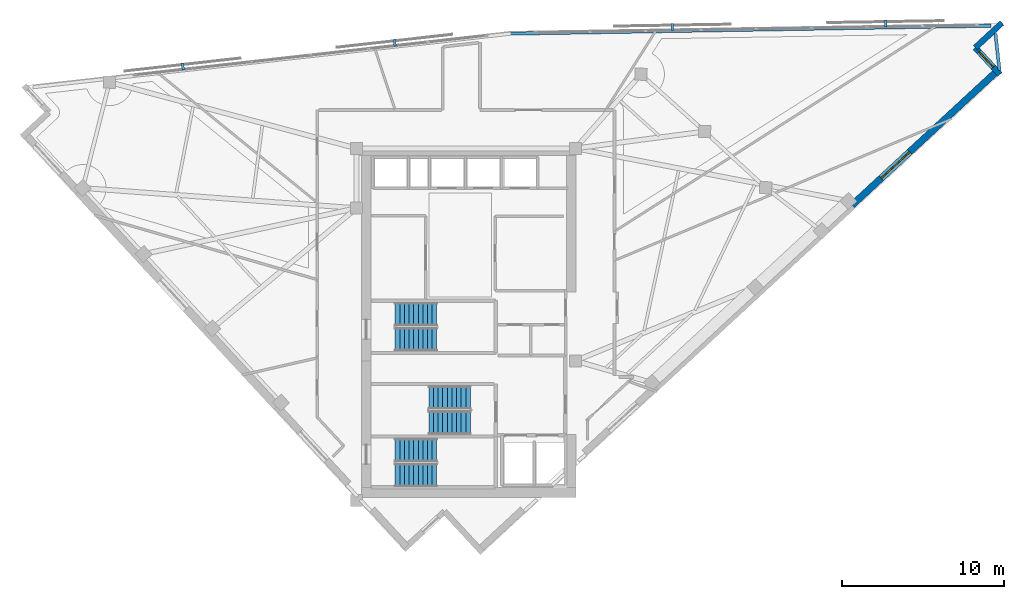
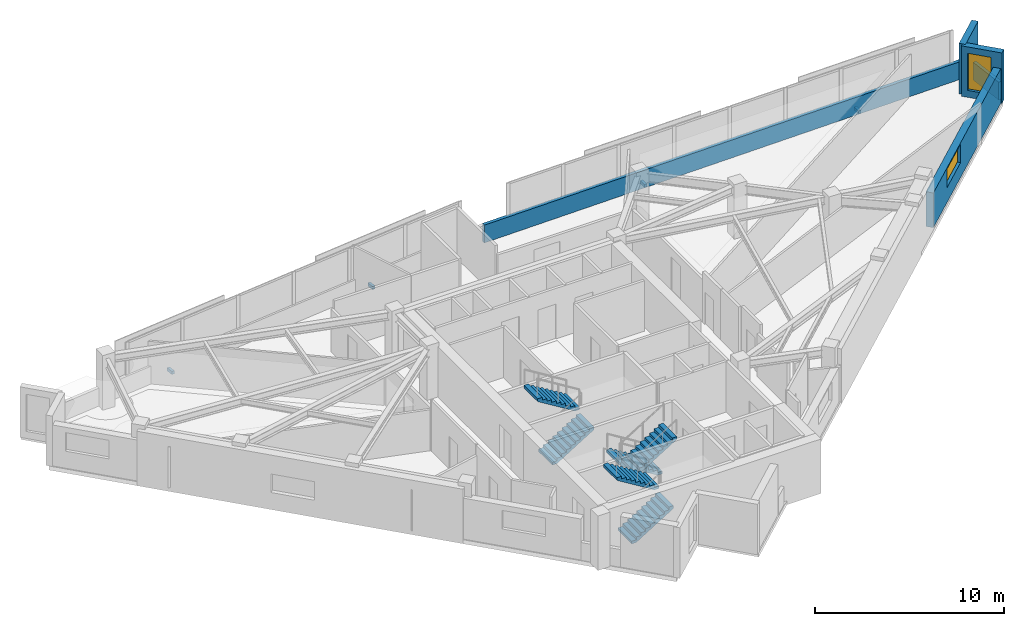
# One storey, part 11 of 13: 6 stair flights, 5 walls, 4 discrete accessories, 2 windows, 2 openings, 3 elements without a shape of their own.
"""IFC4 building model written with IfcOpenShell, lengths in metres."""

from ifc_helpers import new_model, si_unit, direction, frame, frame_2d, origin, origin_2d, place, context, subcontext, project, spatial, polyline, rectangle, outline, extrude, material, layer, layer_set, type_object, element, fill, aggregate, save


model = new_model("IFC4")

# Units and contexts
model_context = context("Model", 3, precision=1e-05, world=origin(), true_north=direction((0.0, 1.0)))
body_context = subcontext(model_context, "Body", "Model", "MODEL_VIEW")
ifc_project = project(units=[si_unit("LENGTHUNIT", "METRE"), si_unit("AREAUNIT", "SQUARE_METRE"), si_unit("VOLUMEUNIT", "CUBIC_METRE"), si_unit("PLANEANGLEUNIT", "RADIAN"), si_unit("MASSUNIT", "GRAM", prefix="KILO")], contexts=[model_context])

# Site, building, storey
site_placement = place(None, origin())
site = spatial("IfcSite", under=ifc_project, at=site_placement, CompositionType="ELEMENT")
building_placement = place(site_placement, origin())
building = spatial("IfcBuilding", under=site, at=building_placement, Name="Narakoshi Arena Tower", CompositionType="ELEMENT")
storey_placement = place(building_placement, frame((0.0, 0.0, 281.860107421875)))
storey = spatial("IfcBuildingStorey", under=building, at=storey_placement, Name="L77", CompositionType="ELEMENT", Elevation=281.860107421875)

# Walls
ifc_material_1 = material(Name="Precast concrete C45/55", Category="concrete")
ifc_layer_1 = layer(ifc_material_1, 0.25)
ifc_layer_set_1 = layer_set([ifc_layer_1], Name="Precast concrete C45/55")
wall_type_1 = type_object("IfcWallType", Name="WL-PARA-250", PredefinedType="PARAPET", material=ifc_layer_set_1)
wall_1_placement = place(storey_placement, frame((111.80419921875, 61.324951171875, 0.0), z_axis=(0.0, 0.0, 1.0), x_axis=(-0.10875765817, 0.994068293323, 0.0)))
element("IfcWall", 1, at=wall_1_placement, inside=storey, type_object=wall_type_1, Name="L77 Architectural Setback Ledge Parapet", PredefinedType="PARAPET", context=body_context, shape_type="SweptSolid", body=[
    extrude(rectangle(XDim=2.305419921875, YDim=0.199951171875, at=frame_2d((1.15283203125, 0.0))), origin(), (0.0, 0.0, 1.0), 1.14990234375),
])
wall_2_placement = place(storey_placement, frame((111.2705078125, 64.091796875, 0.0), z_axis=(0.0, 0.0, 1.0), x_axis=(-0.999864741935, -0.016446818413, 0.0)))
element("IfcWall", 2, at=wall_2_placement, inside=storey, type_object=wall_type_1, Name="L77 Hypotenuse Sill Upstand Parapet 1-01", PredefinedType="PARAPET", context=body_context, shape_type="SweptSolid", body=[
    extrude(rectangle(XDim=29.73291015625, YDim=0.199951171875, at=frame_2d((14.866455078125, 0.0))), origin(), (0.0, 0.0, 1.0), 1.14990234375),
])

# Wall, opening, window
ifc_layer_2 = layer(ifc_material_1, 0.419921875)
ifc_layer_set_2 = layer_set([ifc_layer_2], Name="Precast concrete C45/55")
wall_type_2 = type_object("IfcWallType", Name="WL-POD-420", PredefinedType="SOLIDWALL", material=ifc_layer_set_2)
wall_3_placement = place(storey_placement, frame((102.677490234375, 52.9892578125, 0.0), z_axis=(0.0, 0.0, 1.0), x_axis=(0.734331107219, 0.678791444386, 0.0)))
wall_3 = element("IfcWall", 3, at=wall_3_placement, inside=storey, type_object=wall_type_2, Name="L77 Architectural Concrete Facade Wall LEGA-4", PredefinedType="SOLIDWALL", context=body_context, shape_type="SweptSolid", body=[
    extrude(rectangle(XDim=12.21142578125, YDim=0.419921875, at=frame_2d((6.105712890625, 0.0))), origin(), (0.0, 0.0, 1.0), 2.244873046875),
])
opening_1_placement = place(wall_3_placement, frame((2.453857421875, 0.0, 0.965087890625)))
opening_1 = element("IfcOpeningElement", 4, at=opening_1_placement, cuts=wall_3, Name="Opening WN-04", PredefinedType="OPENING", context=body_context, shape_type="SweptSolid", body=[
    extrude(rectangle(XDim=2.39990234375, YDim=1.199951171875, at=frame_2d((1.199951171875, 0.60009765625))), frame((0.0, 0.219970703125, 0.0), z_axis=(0.0, -1.0, 0.0), x_axis=(1.0, 0.0, 0.0)), (0.0, 0.0, 1.0), 0.43994140625),
])
ifc_material_2 = material(Name="Bronze-tinted low-E laminated glass", Category="glass")
window_type_1 = type_object("IfcWindowType", Name="WIN-SLT-24x12", PartitioningType="SINGLE_PANEL", PredefinedType="WINDOW", material=ifc_material_2)
window_1_placement = place(opening_1_placement, origin())
window_1 = element("IfcWindow", 5, at=window_1_placement, inside=storey, type_object=window_type_1, Name="L77 LEGA4 Horizontal Slot Window 1", OverallHeight=1.199951171875, OverallWidth=2.39990234375, PartitioningType="SINGLE_PANEL", PredefinedType="WINDOW", context=body_context, shape_type="SweptSolid", body=[
    extrude(rectangle(XDim=2.39990234375, YDim=1.199951171875, at=frame_2d((1.199951171875, 0.60009765625))), frame((0.0, 0.030029296875, 0.0), z_axis=(0.0, -1.0, 0.0), x_axis=(1.0, 0.0, 0.0)), (0.0, 0.0, 1.0), 0.06005859375),
])
fill(opening_1, window_1)

wall_4_placement = place(storey_placement, frame((111.83154296875, 61.076416015625, 0.0), z_axis=(0.0, 0.0, 1.0), x_axis=(-0.678792531533, 0.734330102294, 0.0)))
wall_4 = element("IfcWall", 6, at=wall_4_placement, inside=storey, type_object=wall_type_2, Name="L77 Re-Entrant Corner Notch Wall NTE-1", PredefinedType="SOLIDWALL", context=body_context, shape_type="SweptSolid", body=[
    extrude(rectangle(XDim=2.255126953125, YDim=0.360107421875, at=frame_2d((1.12744140625, 0.0))), origin(), (0.0, 0.0, 1.0), 3.260009765625),
])
opening_2_placement = place(wall_4_placement, frame((0.614990234375, 0.0, 0.449951171875)))
opening_2 = element("IfcOpeningElement", 7, at=opening_2_placement, cuts=wall_4, Name="Opening WN-06", PredefinedType="OPENING", context=body_context, shape_type="SweptSolid", body=[
    extrude(rectangle(XDim=1.300048828125, YDim=2.39990234375, at=frame_2d((0.64990234375, 1.199951171875))), frame((0.0, 0.18994140625, 0.0), z_axis=(0.0, -1.0, 0.0), x_axis=(1.0, 0.0, 0.0)), (0.0, 0.0, 1.0), 0.380126953125),
])
window_type_2 = type_object("IfcWindowType", Name="WIN-NTC-16x24", PartitioningType="SINGLE_PANEL", PredefinedType="WINDOW", material=ifc_material_2)
window_2_placement = place(opening_2_placement, origin())
window_2 = element("IfcWindow", 8, at=window_2_placement, inside=storey, type_object=window_type_2, Name="L77 Corner Notch Window NTE", OverallHeight=2.39990234375, OverallWidth=1.300048828125, PartitioningType="SINGLE_PANEL", PredefinedType="WINDOW", context=body_context, shape_type="SweptSolid", body=[
    extrude(rectangle(XDim=1.300048828125, YDim=2.39990234375, at=frame_2d((0.64990234375, 1.199951171875))), frame((0.0, 0.030029296875, 0.0), z_axis=(0.0, -1.0, 0.0), x_axis=(1.0, 0.0, 0.0)), (0.0, 0.0, 1.0), 0.06005859375),
])
fill(opening_2, window_2)

# Wall
wall_5_placement = place(storey_placement, frame((110.30078125, 62.732421875, 0.0), z_axis=(0.0, 0.0, 1.0), x_axis=(0.734330102294, 0.678792531533, 0.0)))
element("IfcWall", 9, at=wall_5_placement, inside=storey, type_object=wall_type_2, Name="L77 Re-Entrant Corner Notch Wall NTE-2", PredefinedType="SOLIDWALL", context=body_context, shape_type="SweptSolid", body=[
    extrude(rectangle(XDim=2.255126953125, YDim=0.360107421875, at=frame_2d((1.12744140625, 0.0))), origin(), (0.0, 0.0, 1.0), 3.260009765625),
])

# Stair, stair flights
ifc_material_3 = material(Name="Concrete C45/55", Category="concrete")
stair_type = type_object("IfcStairType", Name="STR-CORE-352", PredefinedType="TWO_STRAIGHT_RUN_STAIR", material=ifc_material_3)
stair_1_placement = place(storey_placement, origin())
stair_1 = element("IfcStair", 10, at=stair_1_placement, inside=storey, type_object=stair_type, Name="L77 Core Escape Stair ST1", PredefinedType="TWO_STRAIGHT_RUN_STAIR")
stair_flight_type = type_object("IfcStairFlightType", Name="FLT-145-160", PredefinedType="STRAIGHT", material=ifc_material_1)
stair_flight_1_placement = place(storey_placement, frame((74.39990234375, 36.27490234375, 0.0), z_axis=(0.0, 0.0, 1.0), x_axis=(1.0, 0.0, 0.0)))
stair_flight_1 = element("IfcStairFlight", 11, at=stair_flight_1_placement, type_object=stair_flight_type, Name="ST1 flight 1", NumberOfRisers=10, NumberOfTreads=9, PredefinedType="STRAIGHT", RiserHeight=0.176, TreadLength=0.285, context=body_context, shape_type="SweptSolid", body=[
    extrude(outline(polyline([(0.0, 0.0), (0.0, 0.176025390625), (0.284912109375, 0.176025390625), (0.284912109375, 0.35205078125), (0.570068359375, 0.35205078125), (0.570068359375, 0.528076171875), (0.85498046875, 0.528076171875), (0.85498046875, 0.7041015625), (1.139892578125, 0.7041015625), (1.139892578125, 0.8798828125), (1.425048828125, 0.8798828125), (1.425048828125, 1.055908203125), (1.7099609375, 1.055908203125), (1.7099609375, 1.23193359375), (1.9951171875, 1.23193359375), (1.9951171875, 1.407958984375), (2.280029296875, 1.407958984375), (2.280029296875, 1.583984375), (2.56494140625, 1.583984375), (2.56494140625, 1.760009765625), (2.56494140625, 1.40771484375), (0.285400390625, 0.0), (0.0, 0.0)])), frame((0.0, 0.72509765625, 0.0), z_axis=(0.0, -1.0, 0.0), x_axis=(1.0, 0.0, 0.0)), (0.0, 0.0, 1.0), 1.449951171875),
])
stair_flight_2_placement = place(storey_placement, frame((76.965087890625, 37.824951171875, 1.760009765625), z_axis=(0.0, 0.0, 1.0), x_axis=(-1.0, 0.0, 0.0)))
stair_flight_2 = element("IfcStairFlight", 12, at=stair_flight_2_placement, type_object=stair_flight_type, Name="ST1 flight 2", NumberOfRisers=10, NumberOfTreads=9, PredefinedType="STRAIGHT", RiserHeight=0.176, TreadLength=0.285, context=body_context, shape_type="SweptSolid", body=[
    extrude(outline(polyline([(0.0, 0.0), (0.0, 0.176025390625), (0.284912109375, 0.176025390625), (0.284912109375, 0.35205078125), (0.570068359375, 0.35205078125), (0.570068359375, 0.528076171875), (0.85498046875, 0.528076171875), (0.85498046875, 0.7041015625), (1.139892578125, 0.7041015625), (1.139892578125, 0.8798828125), (1.425048828125, 0.8798828125), (1.425048828125, 1.055908203125), (1.7099609375, 1.055908203125), (1.7099609375, 1.23193359375), (1.9951171875, 1.23193359375), (1.9951171875, 1.407958984375), (2.280029296875, 1.407958984375), (2.280029296875, 1.583984375), (2.56494140625, 1.583984375), (2.56494140625, 1.760009765625), (2.56494140625, 1.40771484375), (0.285400390625, 0.0), (0.0, 0.0)])), frame((0.0, 0.72509765625, 0.0), z_axis=(0.0, -1.0, 0.0), x_axis=(1.0, 0.0, 0.0)), (0.0, 0.0, 1.0), 1.449951171875),
])
aggregate(stair_1, [stair_flight_1, stair_flight_2])

stair_2_placement = place(storey_placement, origin())
stair_2 = element("IfcStair", 13, at=stair_2_placement, inside=storey, type_object=stair_type, Name="L77 Core Escape Stair ST2", PredefinedType="TWO_STRAIGHT_RUN_STAIR")
stair_flight_3_placement = place(storey_placement, frame((79.050048828125, 41.074951171875, 0.0), z_axis=(0.0, 0.0, 1.0), x_axis=(-1.0, 0.0, 0.0)))
stair_flight_3 = element("IfcStairFlight", 14, at=stair_flight_3_placement, type_object=stair_flight_type, Name="ST2 flight 1", NumberOfRisers=10, NumberOfTreads=9, PredefinedType="STRAIGHT", RiserHeight=0.176, TreadLength=0.285, context=body_context, shape_type="SweptSolid", body=[
    extrude(outline(polyline([(0.0, 0.0), (0.0, 0.176025390625), (0.284912109375, 0.176025390625), (0.284912109375, 0.35205078125), (0.570068359375, 0.35205078125), (0.570068359375, 0.528076171875), (0.85498046875, 0.528076171875), (0.85498046875, 0.7041015625), (1.139892578125, 0.7041015625), (1.139892578125, 0.8798828125), (1.425048828125, 0.8798828125), (1.425048828125, 1.055908203125), (1.7099609375, 1.055908203125), (1.7099609375, 1.23193359375), (1.9951171875, 1.23193359375), (1.9951171875, 1.407958984375), (2.280029296875, 1.407958984375), (2.280029296875, 1.583984375), (2.56494140625, 1.583984375), (2.56494140625, 1.760009765625), (2.56494140625, 1.40771484375), (0.285400390625, 0.0), (0.0, 0.0)])), frame((0.0, 0.72509765625, 0.0), z_axis=(0.0, -1.0, 0.0), x_axis=(1.0, 0.0, 0.0)), (0.0, 0.0, 1.0), 1.449951171875),
])
stair_flight_4_placement = place(storey_placement, frame((76.485107421875, 39.52490234375, 1.760009765625), z_axis=(0.0, 0.0, 1.0), x_axis=(1.0, 0.0, 0.0)))
stair_flight_4 = element("IfcStairFlight", 15, at=stair_flight_4_placement, type_object=stair_flight_type, Name="ST2 flight 2", NumberOfRisers=10, NumberOfTreads=9, PredefinedType="STRAIGHT", RiserHeight=0.176, TreadLength=0.285, context=body_context, shape_type="SweptSolid", body=[
    extrude(outline(polyline([(0.0, 0.0), (0.0, 0.176025390625), (0.284912109375, 0.176025390625), (0.284912109375, 0.35205078125), (0.570068359375, 0.35205078125), (0.570068359375, 0.528076171875), (0.85498046875, 0.528076171875), (0.85498046875, 0.7041015625), (1.139892578125, 0.7041015625), (1.139892578125, 0.8798828125), (1.425048828125, 0.8798828125), (1.425048828125, 1.055908203125), (1.7099609375, 1.055908203125), (1.7099609375, 1.23193359375), (1.9951171875, 1.23193359375), (1.9951171875, 1.407958984375), (2.280029296875, 1.407958984375), (2.280029296875, 1.583984375), (2.56494140625, 1.583984375), (2.56494140625, 1.760009765625), (2.56494140625, 1.40771484375), (0.285400390625, 0.0), (0.0, 0.0)])), frame((0.0, 0.72509765625, 0.0), z_axis=(0.0, -1.0, 0.0), x_axis=(1.0, 0.0, 0.0)), (0.0, 0.0, 1.0), 1.449951171875),
])
aggregate(stair_2, [stair_flight_3, stair_flight_4])

stair_3_placement = place(storey_placement, origin())
stair_3 = element("IfcStair", 16, at=stair_3_placement, inside=storey, type_object=stair_type, Name="L77 Core Escape Stair ST3", PredefinedType="TWO_STRAIGHT_RUN_STAIR")
stair_flight_5_placement = place(storey_placement, frame((74.39990234375, 44.675048828125, 0.0), z_axis=(0.0, 0.0, 1.0), x_axis=(1.0, 0.0, 0.0)))
stair_flight_5 = element("IfcStairFlight", 17, at=stair_flight_5_placement, type_object=stair_flight_type, Name="ST3 flight 1", NumberOfRisers=10, NumberOfTreads=9, PredefinedType="STRAIGHT", RiserHeight=0.176, TreadLength=0.285, context=body_context, shape_type="SweptSolid", body=[
    extrude(outline(polyline([(0.0, 0.0), (0.0, 0.176025390625), (0.284912109375, 0.176025390625), (0.284912109375, 0.35205078125), (0.570068359375, 0.35205078125), (0.570068359375, 0.528076171875), (0.85498046875, 0.528076171875), (0.85498046875, 0.7041015625), (1.139892578125, 0.7041015625), (1.139892578125, 0.8798828125), (1.425048828125, 0.8798828125), (1.425048828125, 1.055908203125), (1.7099609375, 1.055908203125), (1.7099609375, 1.23193359375), (1.9951171875, 1.23193359375), (1.9951171875, 1.407958984375), (2.280029296875, 1.407958984375), (2.280029296875, 1.583984375), (2.56494140625, 1.583984375), (2.56494140625, 1.760009765625), (2.56494140625, 1.40771484375), (0.285400390625, 0.0), (0.0, 0.0)])), frame((0.0, 0.72509765625, 0.0), z_axis=(0.0, -1.0, 0.0), x_axis=(1.0, 0.0, 0.0)), (0.0, 0.0, 1.0), 1.449951171875),
])
stair_flight_6_placement = place(storey_placement, frame((76.965087890625, 46.22509765625, 1.760009765625), z_axis=(0.0, 0.0, 1.0), x_axis=(-1.0, 0.0, 0.0)))
stair_flight_6 = element("IfcStairFlight", 18, at=stair_flight_6_placement, type_object=stair_flight_type, Name="ST3 flight 2", NumberOfRisers=10, NumberOfTreads=9, PredefinedType="STRAIGHT", RiserHeight=0.176, TreadLength=0.285, context=body_context, shape_type="SweptSolid", body=[
    extrude(outline(polyline([(0.0, 0.0), (0.0, 0.176025390625), (0.284912109375, 0.176025390625), (0.284912109375, 0.35205078125), (0.570068359375, 0.35205078125), (0.570068359375, 0.528076171875), (0.85498046875, 0.528076171875), (0.85498046875, 0.7041015625), (1.139892578125, 0.7041015625), (1.139892578125, 0.8798828125), (1.425048828125, 0.8798828125), (1.425048828125, 1.055908203125), (1.7099609375, 1.055908203125), (1.7099609375, 1.23193359375), (1.9951171875, 1.23193359375), (1.9951171875, 1.407958984375), (2.280029296875, 1.407958984375), (2.280029296875, 1.583984375), (2.56494140625, 1.583984375), (2.56494140625, 1.760009765625), (2.56494140625, 1.40771484375), (0.285400390625, 0.0), (0.0, 0.0)])), frame((0.0, 0.72509765625, 0.0), z_axis=(0.0, -1.0, 0.0), x_axis=(1.0, 0.0, 0.0)), (0.0, 0.0, 1.0), 1.449951171875),
])
aggregate(stair_3, [stair_flight_5, stair_flight_6])

# Discrete accessories
ifc_material_4 = material(Name="Structural steel S355J2", Category="steel")
discrete_accessory_type = type_object("IfcDiscreteAccessoryType", Name="ACC-BRK-SCR", PredefinedType="BRACKET", material=ifc_material_4)
for number, where, z_axis, x_axis, name in (
    (19, (104.75634765625, 64.224609375, -0.080078125), (0.0, 0.0, 1.0), (-0.999864849778, -0.016440260879, 0.0), "L77 Solar Screen Support Bracket SHD-L77-SCR1-1"),
    (20, (91.55810546875, 64.007568359375, -0.080078125), (0.0, 0.0, 1.0), (-0.999864849778, -0.016440260879, 0.0), "L77 Solar Screen Support Bracket SHD-L77-SCR1-2"),
    (21, (74.374755859375, 63.040283203125, -0.080078125), (0.0, 0.0, 1.0), (-0.993775698738, -0.111399553846, 0.0), "L77 Solar Screen Support Bracket SHD-L77-SCR2-1"),
    (22, (61.2568359375, 61.56982421875, -0.080078125), (0.0, 0.0, 1.0), (-0.993775698738, -0.111399553846, 0.0), "L77 Solar Screen Support Bracket SHD-L77-SCR2-2"),
):
    element("IfcDiscreteAccessory", number, at=place(storey_placement, frame(where, z_axis=z_axis, x_axis=x_axis)), inside=storey, type_object=discrete_accessory_type, Name=name, PredefinedType="BRACKET", context=body_context, shape_type="SweptSolid", body=[
        extrude(rectangle(XDim=0.159912109375, YDim=0.43994140625, at=origin_2d()), origin(), (0.0, 0.0, 1.0), 0.199951171875),
    ])

save(model, "model.ifc")
